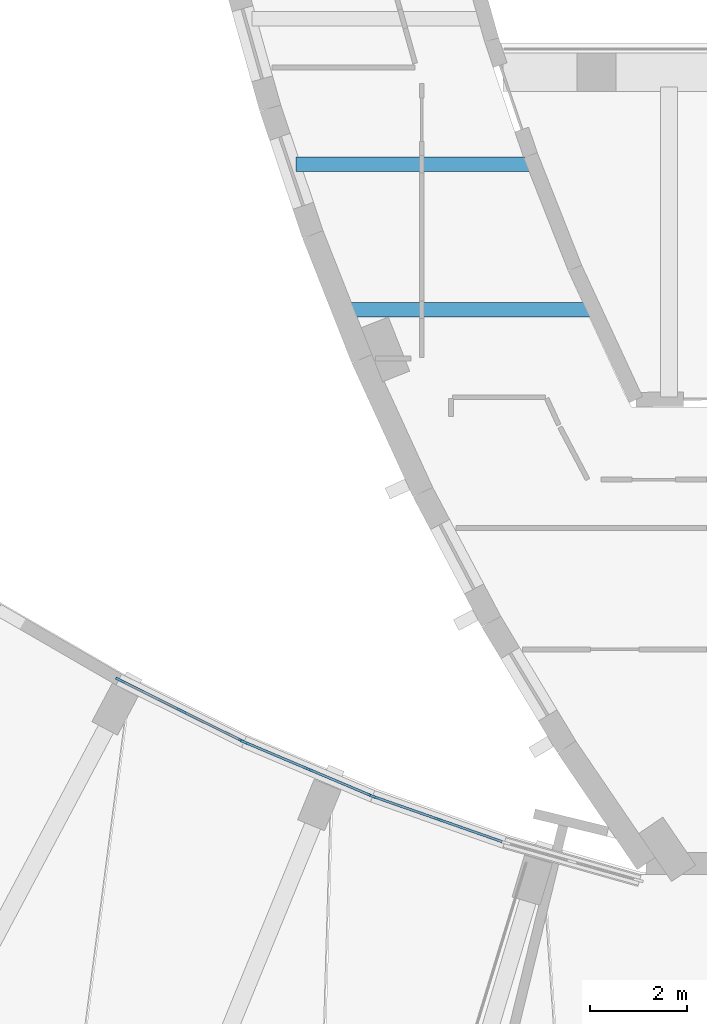
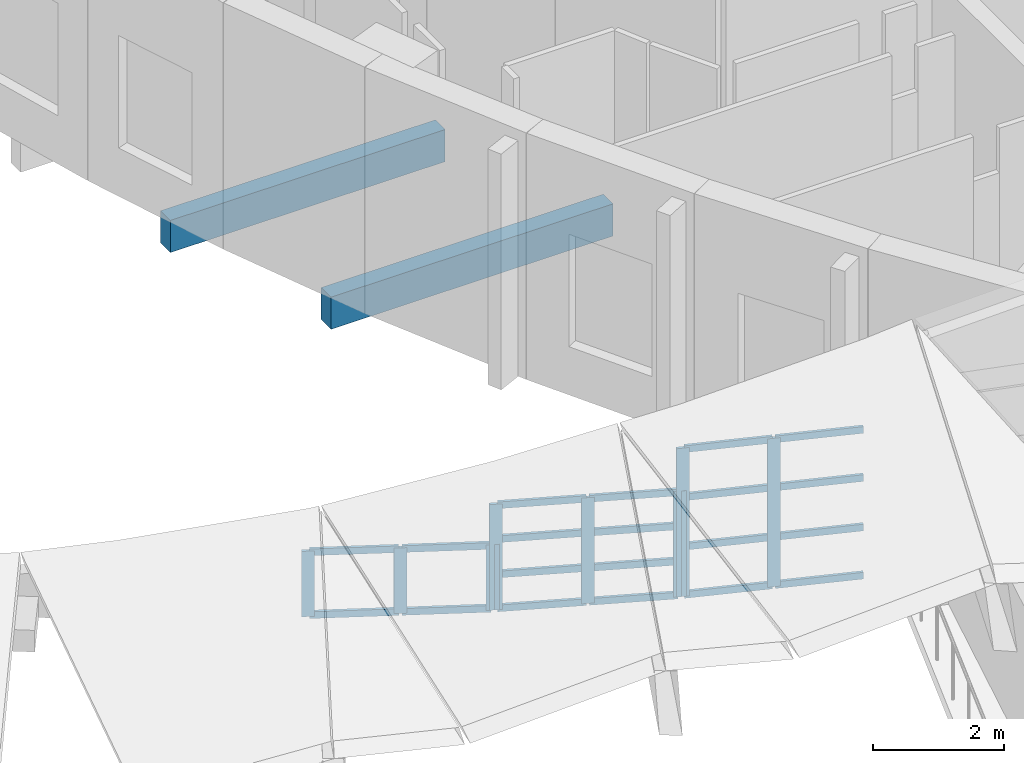
# One storey, part 6 of 56: 28 members, 2 beams, 3 elements without a shape of their own.
"""IFC4 building model written with IfcOpenShell, lengths in metres."""

from ifc_helpers import new_model, si_unit, direction, frame, origin, origin_2d, place, context, subcontext, project, spatial, rectangle, extrude, material, material_profile, profile_set, type_object, element, aggregate, save


model = new_model("IFC4")

# Units and contexts
model_context = context("Model", 3, precision=1e-05, world=origin(), true_north=direction((0.0, 1.0)))
body_context = subcontext(model_context, "Body", "Model", "MODEL_VIEW")
ifc_project = project(units=[si_unit("LENGTHUNIT", "METRE"), si_unit("AREAUNIT", "SQUARE_METRE"), si_unit("VOLUMEUNIT", "CUBIC_METRE"), si_unit("PLANEANGLEUNIT", "RADIAN"), si_unit("MASSUNIT", "GRAM", prefix="KILO")], contexts=[model_context])

# Site, building, storey
site_placement = place(None, origin())
site = spatial("IfcSite", under=ifc_project, at=site_placement, CompositionType="ELEMENT")
building_placement = place(site_placement, origin())
building = spatial("IfcBuilding", under=site, at=building_placement, Name="Tide Square Theatres", CompositionType="ELEMENT")
storey_placement = place(building_placement, frame((0.0, 0.0, 10.199951171875)))
storey = spatial("IfcBuildingStorey", under=building, at=storey_placement, Name="L02", CompositionType="ELEMENT", Elevation=10.199951171875)

# Curtain wall, members
ifc_material_1 = material(Name="Aluminium 6063-T5", Category="aluminium")
curtain_wall_type_1 = type_object("IfcCurtainWallType", Name="Stick system curtain wall 3000 high", PredefinedType="USERDEFINED", material=ifc_material_1)
curtain_wall_1_placement = place(storey_placement, origin())
curtain_wall_1 = element("IfcCurtainWall", 1, at=curtain_wall_1_placement, inside=storey, type_object=curtain_wall_type_1, Name="Foyer inner curtain wall", ObjectType="STICK SYSTEM", PredefinedType="USERDEFINED")
ifc_material_2 = material(Name="Aluminium 6063-T5", Category="aluminium")
ifc_material_profile_1 = material_profile(ifc_material_2, rectangle(XDim=0.050048828125, YDim=0.199951171875, at=origin_2d()))
ifc_profile_set_1 = profile_set([ifc_material_profile_1], Name="Aluminium 6063-T5")
member_type_1 = type_object("IfcMemberType", Name="Aluminium mullion 50 x 200", PredefinedType="MULLION", material=ifc_profile_set_1)
member_1_placement = place(storey_placement, frame((68.74560546875, 24.494140625, 0.0), z_axis=(0.0, 0.0, 1.0), x_axis=(-0.330876191147, -0.943674173713, 0.0)))
member_1 = element("IfcMember", 2, at=member_1_placement, type_object=member_type_1, Name="CW-10 mullion 2", PredefinedType="MULLION", context=body_context, shape_type="SweptSolid", body=[
    extrude(rectangle(XDim=0.050048828125, YDim=0.199951171875, at=origin_2d()), origin(), (0.0, 0.0, 1.0), 2.770751953125),
])
member_2_placement = place(storey_placement, frame((67.410400390625, 24.96240234375, 0.0), z_axis=(0.0, 0.0, 1.0), x_axis=(-0.330876191147, -0.943674173713, 0.0)))
member_2 = element("IfcMember", 3, at=member_2_placement, type_object=member_type_1, Name="CW-10 mullion 3", PredefinedType="MULLION", context=body_context, shape_type="SweptSolid", body=[
    extrude(rectangle(XDim=0.050048828125, YDim=0.199951171875, at=origin_2d()), origin(), (0.0, 0.0, 1.0), 2.770751953125),
])

ifc_material_3 = material(Name="Aluminium 6063-T5", Category="aluminium")
curtain_wall_type_2 = type_object("IfcCurtainWallType", Name="Stick system curtain wall 1800 high", PredefinedType="USERDEFINED", material=ifc_material_3)
curtain_wall_2_placement = place(storey_placement, origin())
curtain_wall_2 = element("IfcCurtainWall", 4, at=curtain_wall_2_placement, inside=storey, type_object=curtain_wall_type_2, Name="Foyer inner curtain wall", ObjectType="STICK SYSTEM", PredefinedType="USERDEFINED")
member_3_placement = place(storey_placement, frame((67.36376953125, 24.98046875, 0.0), z_axis=(0.0, 0.0, 1.0), x_axis=(-0.389137043393, -0.92117987465, 0.0)))
member_3 = element("IfcMember", 5, at=member_3_placement, type_object=member_type_1, Name="CW-08 mullion 1", PredefinedType="MULLION", context=body_context, shape_type="SweptSolid", body=[
    extrude(rectangle(XDim=0.050048828125, YDim=0.199951171875, at=origin_2d()), origin(), (0.0, 0.0, 1.0), 1.97412109375),
])
member_4_placement = place(storey_placement, frame((66.06005859375, 25.531005859375, 0.0), z_axis=(0.0, 0.0, 1.0), x_axis=(-0.389137043393, -0.92117987465, 0.0)))
member_4 = element("IfcMember", 6, at=member_4_placement, type_object=member_type_1, Name="CW-08 mullion 2", PredefinedType="MULLION", context=body_context, shape_type="SweptSolid", body=[
    extrude(rectangle(XDim=0.050048828125, YDim=0.199951171875, at=origin_2d()), origin(), (0.0, 0.0, 1.0), 1.97412109375),
])
member_5_placement = place(storey_placement, frame((64.756591796875, 26.081787109375, 0.0), z_axis=(0.0, 0.0, 1.0), x_axis=(-0.389137043393, -0.92117987465, 0.0)))
member_5 = element("IfcMember", 7, at=member_5_placement, type_object=member_type_1, Name="CW-08 mullion 3", PredefinedType="MULLION", context=body_context, shape_type="SweptSolid", body=[
    extrude(rectangle(XDim=0.050048828125, YDim=0.199951171875, at=origin_2d()), origin(), (0.0, 0.0, 1.0), 1.97412109375),
])

ifc_material_4 = material(Name="Aluminium 6063-T5", Category="aluminium")
curtain_wall_type_3 = type_object("IfcCurtainWallType", Name="Stick system curtain wall 1200 high", PredefinedType="USERDEFINED", material=ifc_material_4)
curtain_wall_3_placement = place(storey_placement, origin())
curtain_wall_3 = element("IfcCurtainWall", 8, at=curtain_wall_3_placement, inside=storey, type_object=curtain_wall_type_3, Name="Foyer inner curtain wall", ObjectType="STICK SYSTEM", PredefinedType="USERDEFINED")
member_6_placement = place(storey_placement, frame((64.711181640625, 26.1025390625, 0.0), z_axis=(0.0, 0.0, 1.0), x_axis=(-0.445865977245, -0.895099732061, 0.0)))
member_6 = element("IfcMember", 9, at=member_6_placement, type_object=member_type_1, Name="CW-07 mullion 1", PredefinedType="MULLION", context=body_context, shape_type="SweptSolid", body=[
    extrude(rectangle(XDim=0.050048828125, YDim=0.199951171875, at=origin_2d()), origin(), (0.0, 0.0, 1.0), 1.22314453125),
])
member_7_placement = place(storey_placement, frame((63.4443359375, 26.733642578125, 0.0), z_axis=(0.0, 0.0, 1.0), x_axis=(-0.445865977245, -0.895099732061, 0.0)))
member_7 = element("IfcMember", 10, at=member_7_placement, type_object=member_type_1, Name="CW-07 mullion 2", PredefinedType="MULLION", context=body_context, shape_type="SweptSolid", body=[
    extrude(rectangle(XDim=0.050048828125, YDim=0.199951171875, at=origin_2d()), origin(), (0.0, 0.0, 1.0), 1.22314453125),
])
member_8_placement = place(storey_placement, frame((62.177734375, 27.364501953125, 0.0), z_axis=(0.0, 0.0, 1.0), x_axis=(-0.445865977245, -0.895099732061, 0.0)))
member_8 = element("IfcMember", 11, at=member_8_placement, type_object=member_type_1, Name="CW-07 mullion 3", PredefinedType="MULLION", context=body_context, shape_type="SweptSolid", body=[
    extrude(rectangle(XDim=0.050048828125, YDim=0.199951171875, at=origin_2d()), origin(), (0.0, 0.0, 1.0), 1.22314453125),
])

# Member
ifc_material_5 = material(Name="Aluminium 6063-T5", Category="aluminium")
ifc_material_profile_2 = material_profile(ifc_material_5, rectangle(XDim=0.050048828125, YDim=0.125, at=origin_2d()))
ifc_profile_set_2 = profile_set([ifc_material_profile_2], Name="Aluminium 6063-T5")
member_type_2 = type_object("IfcMemberType", Name="Aluminium transom 50 x 125", PredefinedType="USERDEFINED", material=ifc_profile_set_2)
member_9_placement = place(storey_placement, frame((70.0576171875, 24.0341796875, 0.025146484375), z_axis=(-0.943688163156, 0.330836289907, 0.0), x_axis=(-0.330836289907, -0.943688163156, 0.0)))
member_9 = element("IfcMember", 12, at=member_9_placement, type_object=member_type_2, Name="CW-10 transom 1.1", ObjectType="TRANSOM", PredefinedType="USERDEFINED", context=body_context, shape_type="SweptSolid", body=[
    extrude(rectangle(XDim=0.050048828125, YDim=0.125, at=origin_2d()), origin(), (0.0, 0.0, 1.0), 1.365234375),
])

member_10_placement = place(storey_placement, frame((70.0576171875, 24.0341796875, 0.923583984375), z_axis=(-0.943688163156, 0.330836289907, 0.0), x_axis=(-0.330836289907, -0.943688163156, 0.0)))
member_10 = element("IfcMember", 13, at=member_10_placement, type_object=member_type_2, Name="CW-10 transom 1.2", ObjectType="TRANSOM", PredefinedType="USERDEFINED", context=body_context, shape_type="SweptSolid", body=[
    extrude(rectangle(XDim=0.050048828125, YDim=0.125, at=origin_2d()), origin(), (0.0, 0.0, 1.0), 1.365234375),
])

member_11_placement = place(storey_placement, frame((70.0576171875, 24.0341796875, 1.84716796875), z_axis=(-0.943688163156, 0.330836289907, 0.0), x_axis=(-0.330836289907, -0.943688163156, 0.0)))
member_11 = element("IfcMember", 14, at=member_11_placement, type_object=member_type_2, Name="CW-10 transom 1.3", ObjectType="TRANSOM", PredefinedType="USERDEFINED", context=body_context, shape_type="SweptSolid", body=[
    extrude(rectangle(XDim=0.050048828125, YDim=0.125, at=origin_2d()), origin(), (0.0, 0.0, 1.0), 1.365234375),
])

member_12_placement = place(storey_placement, frame((70.0576171875, 24.0341796875, 2.74560546875), z_axis=(-0.943688163156, 0.330836289907, 0.0), x_axis=(-0.330836289907, -0.943688163156, 0.0)))
member_12 = element("IfcMember", 15, at=member_12_placement, type_object=member_type_2, Name="CW-10 transom 1.4", ObjectType="TRANSOM", PredefinedType="USERDEFINED", context=body_context, shape_type="SweptSolid", body=[
    extrude(rectangle(XDim=0.050048828125, YDim=0.125, at=origin_2d()), origin(), (0.0, 0.0, 1.0), 1.365234375),
])

member_13_placement = place(storey_placement, frame((68.72216796875, 24.50244140625, 0.025146484375), z_axis=(-0.943688163156, 0.330836289907, 0.0), x_axis=(-0.330836289907, -0.943688163156, 0.0)))
member_13 = element("IfcMember", 16, at=member_13_placement, type_object=member_type_2, Name="CW-10 transom 2.1", ObjectType="TRANSOM", PredefinedType="USERDEFINED", context=body_context, shape_type="SweptSolid", body=[
    extrude(rectangle(XDim=0.050048828125, YDim=0.125, at=origin_2d()), origin(), (0.0, 0.0, 1.0), 1.365234375),
])

member_14_placement = place(storey_placement, frame((68.72216796875, 24.50244140625, 0.923583984375), z_axis=(-0.943688163156, 0.330836289907, 0.0), x_axis=(-0.330836289907, -0.943688163156, 0.0)))
member_14 = element("IfcMember", 17, at=member_14_placement, type_object=member_type_2, Name="CW-10 transom 2.2", ObjectType="TRANSOM", PredefinedType="USERDEFINED", context=body_context, shape_type="SweptSolid", body=[
    extrude(rectangle(XDim=0.050048828125, YDim=0.125, at=origin_2d()), origin(), (0.0, 0.0, 1.0), 1.365234375),
])

member_15_placement = place(storey_placement, frame((68.72216796875, 24.50244140625, 1.84716796875), z_axis=(-0.943688163156, 0.330836289907, 0.0), x_axis=(-0.330836289907, -0.943688163156, 0.0)))
member_15 = element("IfcMember", 18, at=member_15_placement, type_object=member_type_2, Name="CW-10 transom 2.3", ObjectType="TRANSOM", PredefinedType="USERDEFINED", context=body_context, shape_type="SweptSolid", body=[
    extrude(rectangle(XDim=0.050048828125, YDim=0.125, at=origin_2d()), origin(), (0.0, 0.0, 1.0), 1.365234375),
])

member_16_placement = place(storey_placement, frame((68.72216796875, 24.50244140625, 2.74560546875), z_axis=(-0.943688163156, 0.330836289907, 0.0), x_axis=(-0.330836289907, -0.943688163156, 0.0)))
member_16 = element("IfcMember", 19, at=member_16_placement, type_object=member_type_2, Name="CW-10 transom 2.4", ObjectType="TRANSOM", PredefinedType="USERDEFINED", context=body_context, shape_type="SweptSolid", body=[
    extrude(rectangle(XDim=0.050048828125, YDim=0.125, at=origin_2d()), origin(), (0.0, 0.0, 1.0), 1.365234375),
])

aggregate(curtain_wall_1, [member_1, member_2, member_9, member_10, member_11, member_12, member_13, member_14, member_15, member_16])

member_17_placement = place(storey_placement, frame((67.340576171875, 24.990234375, 0.025146484375), z_axis=(-0.921176917227, 0.389144044241, 0.0), x_axis=(-0.389144044241, -0.921176917227, 0.0)))
member_17 = element("IfcMember", 20, at=member_17_placement, type_object=member_type_2, Name="CW-08 transom 1.1", ObjectType="TRANSOM", PredefinedType="USERDEFINED", context=body_context, shape_type="SweptSolid", body=[
    extrude(rectangle(XDim=0.050048828125, YDim=0.125, at=origin_2d()), origin(), (0.0, 0.0, 1.0), 1.365234375),
])

member_18_placement = place(storey_placement, frame((67.340576171875, 24.990234375, 0.657958984375), z_axis=(-0.921176917227, 0.389144044241, 0.0), x_axis=(-0.389144044241, -0.921176917227, 0.0)))
member_18 = element("IfcMember", 21, at=member_18_placement, type_object=member_type_2, Name="CW-08 transom 1.2", ObjectType="TRANSOM", PredefinedType="USERDEFINED", context=body_context, shape_type="SweptSolid", body=[
    extrude(rectangle(XDim=0.050048828125, YDim=0.125, at=origin_2d()), origin(), (0.0, 0.0, 1.0), 1.365234375),
])

member_19_placement = place(storey_placement, frame((67.340576171875, 24.990234375, 1.316162109375), z_axis=(-0.921176917227, 0.389144044241, 0.0), x_axis=(-0.389144044241, -0.921176917227, 0.0)))
member_19 = element("IfcMember", 22, at=member_19_placement, type_object=member_type_2, Name="CW-08 transom 1.3", ObjectType="TRANSOM", PredefinedType="USERDEFINED", context=body_context, shape_type="SweptSolid", body=[
    extrude(rectangle(XDim=0.050048828125, YDim=0.125, at=origin_2d()), origin(), (0.0, 0.0, 1.0), 1.365234375),
])

member_20_placement = place(storey_placement, frame((67.340576171875, 24.990234375, 1.948974609375), z_axis=(-0.921176917227, 0.389144044241, 0.0), x_axis=(-0.389144044241, -0.921176917227, 0.0)))
member_20 = element("IfcMember", 23, at=member_20_placement, type_object=member_type_2, Name="CW-08 transom 1.4", ObjectType="TRANSOM", PredefinedType="USERDEFINED", context=body_context, shape_type="SweptSolid", body=[
    extrude(rectangle(XDim=0.050048828125, YDim=0.125, at=origin_2d()), origin(), (0.0, 0.0, 1.0), 1.365234375),
])

member_21_placement = place(storey_placement, frame((66.037109375, 25.540771484375, 0.025146484375), z_axis=(-0.921176917227, 0.389144044241, 0.0), x_axis=(-0.389144044241, -0.921176917227, 0.0)))
member_21 = element("IfcMember", 24, at=member_21_placement, type_object=member_type_2, Name="CW-08 transom 2.1", ObjectType="TRANSOM", PredefinedType="USERDEFINED", context=body_context, shape_type="SweptSolid", body=[
    extrude(rectangle(XDim=0.050048828125, YDim=0.125, at=origin_2d()), origin(), (0.0, 0.0, 1.0), 1.365234375),
])

member_22_placement = place(storey_placement, frame((66.037109375, 25.540771484375, 0.657958984375), z_axis=(-0.921176917227, 0.389144044241, 0.0), x_axis=(-0.389144044241, -0.921176917227, 0.0)))
member_22 = element("IfcMember", 25, at=member_22_placement, type_object=member_type_2, Name="CW-08 transom 2.2", ObjectType="TRANSOM", PredefinedType="USERDEFINED", context=body_context, shape_type="SweptSolid", body=[
    extrude(rectangle(XDim=0.050048828125, YDim=0.125, at=origin_2d()), origin(), (0.0, 0.0, 1.0), 1.365234375),
])

member_23_placement = place(storey_placement, frame((66.037109375, 25.540771484375, 1.316162109375), z_axis=(-0.921176917227, 0.389144044241, 0.0), x_axis=(-0.389144044241, -0.921176917227, 0.0)))
member_23 = element("IfcMember", 26, at=member_23_placement, type_object=member_type_2, Name="CW-08 transom 2.3", ObjectType="TRANSOM", PredefinedType="USERDEFINED", context=body_context, shape_type="SweptSolid", body=[
    extrude(rectangle(XDim=0.050048828125, YDim=0.125, at=origin_2d()), origin(), (0.0, 0.0, 1.0), 1.365234375),
])

member_24_placement = place(storey_placement, frame((66.037109375, 25.540771484375, 1.948974609375), z_axis=(-0.921176917227, 0.389144044241, 0.0), x_axis=(-0.389144044241, -0.921176917227, 0.0)))
member_24 = element("IfcMember", 27, at=member_24_placement, type_object=member_type_2, Name="CW-08 transom 2.4", ObjectType="TRANSOM", PredefinedType="USERDEFINED", context=body_context, shape_type="SweptSolid", body=[
    extrude(rectangle(XDim=0.050048828125, YDim=0.125, at=origin_2d()), origin(), (0.0, 0.0, 1.0), 1.365234375),
])

aggregate(curtain_wall_2, [member_3, member_4, member_5, member_17, member_18, member_19, member_20, member_21, member_22, member_23, member_24])

member_25_placement = place(storey_placement, frame((64.688720703125, 26.11376953125, 0.025146484375), z_axis=(-0.895105759031, 0.445853877575, 0.0), x_axis=(-0.445853877575, -0.895105759031, 0.0)))
member_25 = element("IfcMember", 28, at=member_25_placement, type_object=member_type_2, Name="CW-07 transom 1.1", ObjectType="TRANSOM", PredefinedType="USERDEFINED", context=body_context, shape_type="SweptSolid", body=[
    extrude(rectangle(XDim=0.050048828125, YDim=0.125, at=origin_2d()), origin(), (0.0, 0.0, 1.0), 1.365234375),
])

member_26_placement = place(storey_placement, frame((64.688720703125, 26.11376953125, 1.1982421875), z_axis=(-0.895105759031, 0.445853877575, 0.0), x_axis=(-0.445853877575, -0.895105759031, 0.0)))
member_26 = element("IfcMember", 29, at=member_26_placement, type_object=member_type_2, Name="CW-07 transom 1.2", ObjectType="TRANSOM", PredefinedType="USERDEFINED", context=body_context, shape_type="SweptSolid", body=[
    extrude(rectangle(XDim=0.050048828125, YDim=0.125, at=origin_2d()), origin(), (0.0, 0.0, 1.0), 1.365234375),
])

member_27_placement = place(storey_placement, frame((63.422119140625, 26.74462890625, 0.025146484375), z_axis=(-0.895034379727, 0.445997151456, 0.0), x_axis=(-0.445997151456, -0.895034379727, 0.0)))
member_27 = element("IfcMember", 30, at=member_27_placement, type_object=member_type_2, Name="CW-07 transom 2.1", ObjectType="TRANSOM", PredefinedType="USERDEFINED", context=body_context, shape_type="SweptSolid", body=[
    extrude(rectangle(XDim=0.050048828125, YDim=0.125, at=origin_2d()), origin(), (0.0, 0.0, 1.0), 1.365234375),
])

member_28_placement = place(storey_placement, frame((63.422119140625, 26.74462890625, 1.1982421875), z_axis=(-0.895034379727, 0.445997151456, 0.0), x_axis=(-0.445997151456, -0.895034379727, 0.0)))
member_28 = element("IfcMember", 31, at=member_28_placement, type_object=member_type_2, Name="CW-07 transom 2.2", ObjectType="TRANSOM", PredefinedType="USERDEFINED", context=body_context, shape_type="SweptSolid", body=[
    extrude(rectangle(XDim=0.050048828125, YDim=0.125, at=origin_2d()), origin(), (0.0, 0.0, 1.0), 1.365234375),
])

aggregate(curtain_wall_3, [member_6, member_7, member_8, member_25, member_26, member_27, member_28])

# Beams
ifc_material_6 = material(Name="Concrete C35", Category="concrete")
ifc_material_profile_3 = material_profile(ifc_material_6, rectangle(XDim=0.300048828125, YDim=0.60009765625, at=origin_2d()))
ifc_profile_set_3 = profile_set([ifc_material_profile_3], Name="Concrete C35")
beam_type = type_object("IfcBeamType", Name="RC beam 300 x 600", PredefinedType="BEAM", material=ifc_profile_set_3)
beam_1_placement = place(storey_placement, frame((66.90771484375, 35.0, -0.550048828125), z_axis=(1.0, 0.0, 0.0), x_axis=(0.0, 1.0, 0.0)))
element("IfcBeam", 32, at=beam_1_placement, inside=storey, type_object=beam_type, Name="Floor beam", PredefinedType="BEAM", context=body_context, shape_type="SweptSolid", body=[
    extrude(rectangle(XDim=0.300048828125, YDim=0.60009765625, at=origin_2d()), origin(), (0.0, 0.0, 1.0), 4.98095703125),
])
beam_2_placement = place(storey_placement, frame((65.8037109375, 38.0, -0.550048828125), z_axis=(1.0, 0.0, 0.0), x_axis=(0.0, 1.0, 0.0)))
element("IfcBeam", 33, at=beam_2_placement, inside=storey, type_object=beam_type, Name="Floor beam", PredefinedType="BEAM", context=body_context, shape_type="SweptSolid", body=[
    extrude(rectangle(XDim=0.300048828125, YDim=0.60009765625, at=origin_2d()), origin(), (0.0, 0.0, 1.0), 4.850341796875),
])

save(model, "model.ifc")
